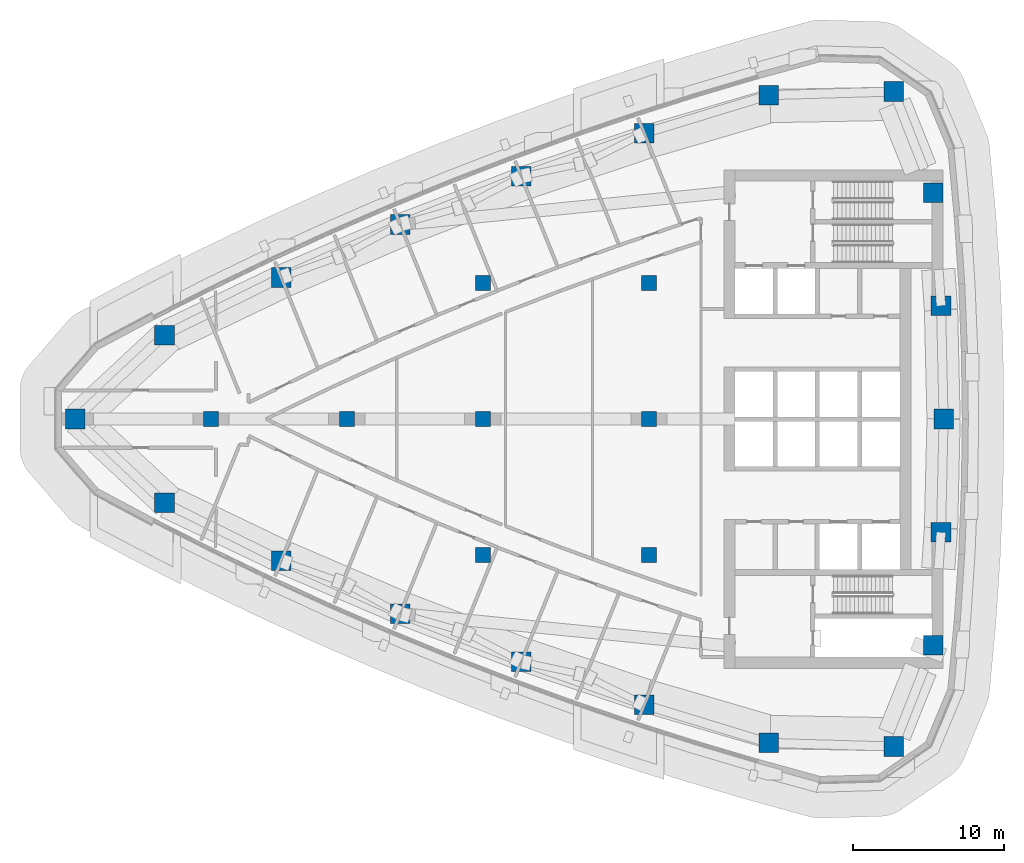
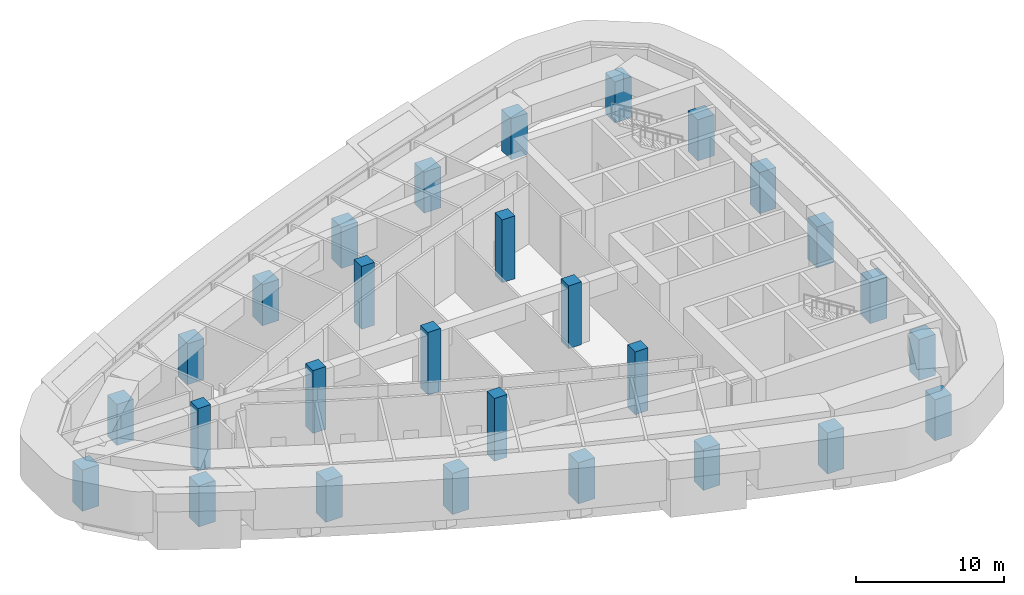
# One storey, part 1 of 17: 28 columns.
"""IFC4 building model written with IfcOpenShell, lengths in metres."""

from ifc_helpers import new_model, si_unit, direction, frame, origin, origin_2d, place, context, subcontext, project, spatial, rectangle, extrude, material, material_profile, profile_set, type_object, element, save


model = new_model("IFC4")

# Units and contexts
model_context = context("Model", 3, precision=1e-05, world=origin(), true_north=direction((0.0, 1.0)))
body_context = subcontext(model_context, "Body", "Model", "MODEL_VIEW")
ifc_project = project(units=[si_unit("LENGTHUNIT", "METRE"), si_unit("AREAUNIT", "SQUARE_METRE"), si_unit("VOLUMEUNIT", "CUBIC_METRE"), si_unit("PLANEANGLEUNIT", "RADIAN"), si_unit("MASSUNIT", "GRAM", prefix="KILO")], contexts=[model_context])

# Site, building, storey
site_placement = place(None, origin())
site = spatial("IfcSite", under=ifc_project, at=site_placement, CompositionType="ELEMENT")
building_placement = place(site_placement, origin())
building = spatial("IfcBuilding", under=site, at=building_placement, Name="Ostrand Prow Hotel Tower", CompositionType="ELEMENT")
storey_placement = place(building_placement, frame((0.0, 0.0, 211.0)))
storey = spatial("IfcBuildingStorey", under=building, at=storey_placement, Name="L53", CompositionType="ELEMENT", Elevation=211.0)

# Columns
ifc_material_1 = material(Name="Concrete C60/75", Category="concrete")
ifc_material_profile_1 = material_profile(ifc_material_1, rectangle(XDim=1.0, YDim=1.0, at=origin_2d()), Name="RC 1000x1000")
ifc_profile_set_1 = profile_set([ifc_material_profile_1], Name="Concrete C60/75")
column_type_1 = type_object("IfcColumnType", Name="Interior column 1000x1000 C60/75", PredefinedType="COLUMN", material=ifc_profile_set_1)
for number, where, z_axis, x_axis, name in (
    (1, (16.0, 0.0, 0.0), (0.0, 0.0, 1.0), (1.0, 0.0, 0.0), "Interior column 16C0"),
    (2, (25.0, 0.0, 0.0), (0.0, 0.0, 1.0), (1.0, 0.0, 0.0), "Interior column 25C0"),
    (3, (34.0, -9.0, 0.0), (0.0, 0.0, 1.0), (1.0, 0.0, 0.0), "Interior column 34S9"),
    (4, (34.0, 0.0, 0.0), (0.0, 0.0, 1.0), (1.0, 0.0, 0.0), "Interior column 34C0"),
    (5, (34.0, 9.0, 0.0), (0.0, 0.0, 1.0), (1.0, 0.0, 0.0), "Interior column 34N9"),
    (6, (45.0, -9.0, 0.0), (0.0, 0.0, 1.0), (1.0, 0.0, 0.0), "Interior column 45S9"),
    (7, (45.0, 0.0, 0.0), (0.0, 0.0, 1.0), (1.0, 0.0, 0.0), "Interior column 45C0"),
    (8, (45.0, 9.0, 0.0), (0.0, 0.0, 1.0), (1.0, 0.0, 0.0), "Interior column 45N9"),
):
    element("IfcColumn", number, at=place(storey_placement, frame(where, z_axis=z_axis, x_axis=x_axis)), inside=storey, type_object=column_type_1, Name=name, PredefinedType="COLUMN", context=body_context, shape_type="SweptSolid", body=[
        extrude(rectangle(XDim=1.0, YDim=1.0, at=origin_2d()), origin(), (0.0, 0.0, 1.0), 5.199951171875),
    ])
ifc_material_2 = material(Name="Concrete C60/75", Category="concrete")
ifc_material_profile_2 = material_profile(ifc_material_2, rectangle(XDim=1.300048828125, YDim=1.300048828125, at=origin_2d()), Name="RC 1300x1300")
ifc_profile_set_2 = profile_set([ifc_material_profile_2], Name="Concrete C60/75")
column_type_2 = type_object("IfcColumnType", Name="Stone-faced mega column 1300x1300 C60/75", PredefinedType="COLUMN", material=ifc_profile_set_2)
for number, where, z_axis, x_axis, name in (
    (9, (7.01708984375, 0.0, 0.0), (0.0, 0.0, 1.0), (1.0, 0.0, 0.0), "Mega column P"),
    (10, (12.9287109375, -5.551513671875, 0.0), (0.0, 0.0, 1.0), (1.0, 0.0, 0.0), "Mega column S1"),
    (11, (20.656982421875, -9.373291015625, 0.0), (0.0, 0.0, 1.0), (1.0, 0.0, 0.0), "Mega column S2"),
    (12, (28.5341796875, -12.878173828125, 0.0), (0.0, 0.0, 1.0), (1.0, 0.0, 0.0), "Mega column S3"),
    (13, (36.547119140625, -16.060791015625, 0.0), (0.0, 0.0, 1.0), (1.0, 0.0, 0.0), "Mega column S4"),
    (14, (44.6826171875, -18.91552734375, 0.0), (0.0, 0.0, 1.0), (1.0, 0.0, 0.0), "Mega column S5"),
    (15, (52.92724609375, -21.43798828125, 0.0), (0.0, 0.0, 1.0), (1.0, 0.0, 0.0), "Mega column S6"),
    (16, (61.198486328125, -21.678955078125, 0.0), (0.0, 0.0, 1.0), (1.0, 0.0, 0.0), "Mega column SE"),
    (17, (63.822021484375, -14.983154296875, 0.0), (0.0, 0.0, 1.0), (1.0, 0.0, 0.0), "Mega column B1"),
    (18, (64.330322265625, -7.499267578125, 0.0), (0.0, 0.0, 1.0), (1.0, 0.0, 0.0), "Mega column B2"),
    (19, (64.5, 0.0, 0.0), (0.0, 0.0, 1.0), (1.0, 0.0, 0.0), "Mega column B3"),
    (20, (64.330322265625, 7.499267578125, 0.0), (0.0, 0.0, 1.0), (1.0, 0.0, 0.0), "Mega column B4"),
    (21, (63.822021484375, 14.983154296875, 0.0), (0.0, 0.0, 1.0), (1.0, 0.0, 0.0), "Mega column B5"),
    (22, (61.198486328125, 21.678955078125, 0.0), (0.0, 0.0, 1.0), (1.0, 0.0, 0.0), "Mega column NE"),
    (23, (52.92724609375, 21.43798828125, 0.0), (0.0, 0.0, 1.0), (1.0, 0.0, 0.0), "Mega column N1"),
    (24, (44.6826171875, 18.91552734375, 0.0), (0.0, 0.0, 1.0), (1.0, 0.0, 0.0), "Mega column N2"),
    (25, (36.547119140625, 16.060791015625, 0.0), (0.0, 0.0, 1.0), (1.0, 0.0, 0.0), "Mega column N3"),
    (26, (28.5341796875, 12.878173828125, 0.0), (0.0, 0.0, 1.0), (1.0, 0.0, 0.0), "Mega column N4"),
    (27, (20.656982421875, 9.373291015625, 0.0), (0.0, 0.0, 1.0), (1.0, 0.0, 0.0), "Mega column N5"),
    (28, (12.9287109375, 5.551513671875, 0.0), (0.0, 0.0, 1.0), (1.0, 0.0, 0.0), "Mega column N6"),
):
    element("IfcColumn", number, at=place(storey_placement, frame(where, z_axis=z_axis, x_axis=x_axis)), inside=storey, type_object=column_type_2, Name=name, PredefinedType="COLUMN", context=body_context, shape_type="SweptSolid", body=[
        extrude(rectangle(XDim=1.300048828125, YDim=1.300048828125, at=origin_2d()), origin(), (0.0, 0.0, 1.0), 3.39990234375),
    ])

save(model, "model.ifc")
